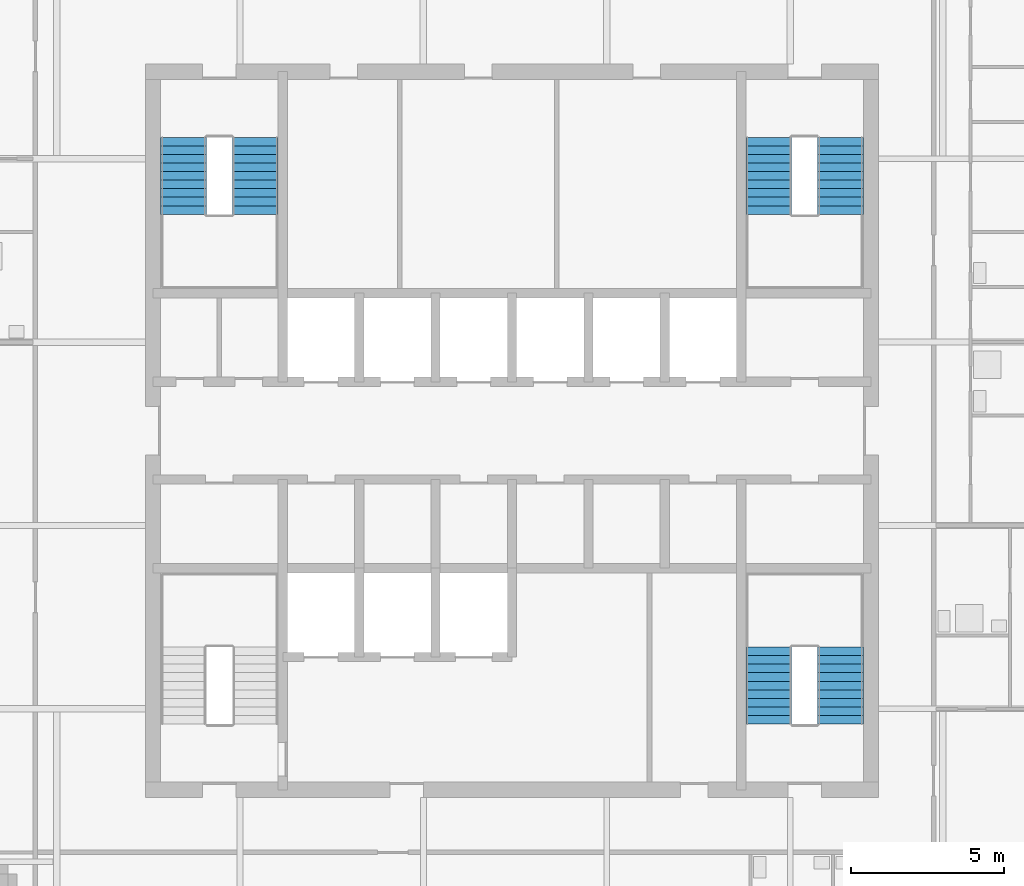
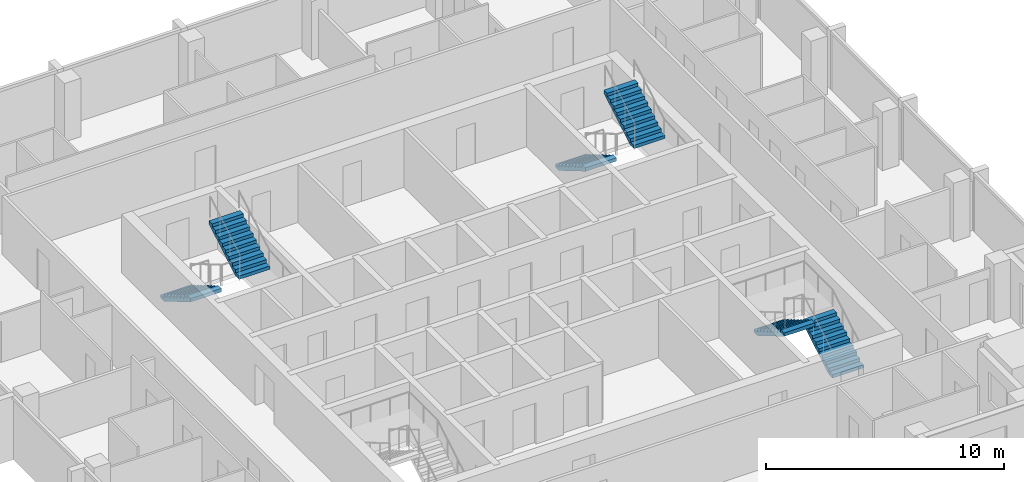
# One storey, part 7 of 9: 6 stair flights, 3 elements without a shape of their own.
"""IFC4 building model written with IfcOpenShell, lengths in metres."""

from ifc_helpers import new_model, si_unit, direction, frame, origin, place, context, subcontext, project, spatial, polyline, outline, extrude, material, type_object, element, aggregate, save


model = new_model("IFC4")

# Units and contexts
model_context = context("Model", 3, precision=1e-05, world=origin(), true_north=direction((0.0, 1.0)))
body_context = subcontext(model_context, "Body", "Model", "MODEL_VIEW")
ifc_project = project(units=[si_unit("LENGTHUNIT", "METRE"), si_unit("AREAUNIT", "SQUARE_METRE"), si_unit("VOLUMEUNIT", "CUBIC_METRE"), si_unit("PLANEANGLEUNIT", "RADIAN"), si_unit("MASSUNIT", "GRAM", prefix="KILO")], contexts=[model_context])

# Site, building, storey
site_placement = place(None, origin())
site = spatial("IfcSite", under=ifc_project, at=site_placement, CompositionType="ELEMENT")
building_placement = place(site_placement, origin())
building = spatial("IfcBuilding", under=site, at=building_placement, Name="Amberfall Residences", CompositionType="ELEMENT")
storey_placement = place(building_placement, frame((0.0, 0.0, 278.5)))
storey = spatial("IfcBuildingStorey", under=building, at=storey_placement, Name="L75", CompositionType="ELEMENT", Elevation=278.5)

# Stair, stair flights
ifc_material = material(Name="Concrete C40", Category="concrete")
stair_type = type_object("IfcStairType", Name="Exit stair 20 risers 165.0 mm", PredefinedType="HALF_TURN_STAIR", material=ifc_material)
stair_1_placement = place(storey_placement, origin())
stair_1 = element("IfcStair", 1, at=stair_1_placement, inside=storey, type_object=stair_type, Name="L75 Exit stair 2", PredefinedType="HALF_TURN_STAIR")
stair_flight_type = type_object("IfcStairFlightType", Name="Stair flight 10 risers 165.0 mm", PredefinedType="STRAIGHT", material=ifc_material)
stair_flight_1_placement = place(storey_placement, frame((85.25, 35.89990234375, 0.0), z_axis=(0.0, 0.0, 1.0), x_axis=(0.0, 1.0, 0.0)))
stair_flight_1 = element("IfcStairFlight", 2, at=stair_flight_1_placement, type_object=stair_flight_type, Name="ST3 flight 1", NumberOfRisers=10, NumberOfTreads=9, PredefinedType="STRAIGHT", RiserHeight=0.165, TreadLength=0.28, context=body_context, shape_type="SweptSolid", body=[
    extrude(outline(polyline([(0.0, 0.0), (0.0, 0.1650390625), (0.280029296875, 0.1650390625), (0.280029296875, 0.330078125), (0.56005859375, 0.330078125), (0.56005859375, 0.4951171875), (0.840087890625, 0.4951171875), (0.840087890625, 0.659912109375), (1.1201171875, 0.659912109375), (1.1201171875, 0.824951171875), (1.39990234375, 0.824951171875), (1.39990234375, 0.989990234375), (1.679931640625, 0.989990234375), (1.679931640625, 1.155029296875), (1.9599609375, 1.155029296875), (1.9599609375, 1.320068359375), (2.239990234375, 1.320068359375), (2.239990234375, 1.485107421875), (2.52001953125, 1.485107421875), (2.52001953125, 1.64990234375), (2.52001953125, 1.31103515625), (0.295166015625, 0.0), (0.0, 0.0)])), frame((0.0, 0.75, 0.0), z_axis=(0.0, -1.0, 0.0), x_axis=(1.0, 0.0, 0.0)), (0.0, 0.0, 1.0), 1.5),
])
stair_flight_2_placement = place(storey_placement, frame((82.89990234375, 38.419921875, 1.64990234375), z_axis=(0.0, 0.0, 1.0), x_axis=(0.0, -1.0, 0.0)))
stair_flight_2 = element("IfcStairFlight", 3, at=stair_flight_2_placement, type_object=stair_flight_type, Name="ST3 flight 2", NumberOfRisers=10, NumberOfTreads=9, PredefinedType="STRAIGHT", RiserHeight=0.165, TreadLength=0.28, context=body_context, shape_type="SweptSolid", body=[
    extrude(outline(polyline([(0.0, 0.0), (0.0, 0.1650390625), (0.280029296875, 0.1650390625), (0.280029296875, 0.330078125), (0.56005859375, 0.330078125), (0.56005859375, 0.4951171875), (0.840087890625, 0.4951171875), (0.840087890625, 0.659912109375), (1.1201171875, 0.659912109375), (1.1201171875, 0.824951171875), (1.39990234375, 0.824951171875), (1.39990234375, 0.989990234375), (1.679931640625, 0.989990234375), (1.679931640625, 1.155029296875), (1.9599609375, 1.155029296875), (1.9599609375, 1.320068359375), (2.239990234375, 1.320068359375), (2.239990234375, 1.485107421875), (2.52001953125, 1.485107421875), (2.52001953125, 1.64990234375), (2.52001953125, 1.31103515625), (0.295166015625, 0.0), (0.0, 0.0)])), frame((0.0, 0.75, 0.0), z_axis=(0.0, -1.0, 0.0), x_axis=(1.0, 0.0, 0.0)), (0.0, 0.0, 1.0), 1.5),
])
aggregate(stair_1, [stair_flight_1, stair_flight_2])

stair_2_placement = place(storey_placement, origin())
stair_2 = element("IfcStair", 4, at=stair_2_placement, inside=storey, type_object=stair_type, Name="L75 Exit stair 3", PredefinedType="HALF_TURN_STAIR")
stair_flight_3_placement = place(storey_placement, frame((82.89990234375, 55.10009765625, 0.0), z_axis=(0.0, 0.0, 1.0), x_axis=(0.0, -1.0, 0.0)))
stair_flight_3 = element("IfcStairFlight", 5, at=stair_flight_3_placement, type_object=stair_flight_type, Name="ST3 flight 1", NumberOfRisers=10, NumberOfTreads=9, PredefinedType="STRAIGHT", RiserHeight=0.165, TreadLength=0.28, context=body_context, shape_type="SweptSolid", body=[
    extrude(outline(polyline([(0.0, 0.0), (0.0, 0.1650390625), (0.280029296875, 0.1650390625), (0.280029296875, 0.330078125), (0.56005859375, 0.330078125), (0.56005859375, 0.4951171875), (0.840087890625, 0.4951171875), (0.840087890625, 0.659912109375), (1.1201171875, 0.659912109375), (1.1201171875, 0.824951171875), (1.39990234375, 0.824951171875), (1.39990234375, 0.989990234375), (1.679931640625, 0.989990234375), (1.679931640625, 1.155029296875), (1.9599609375, 1.155029296875), (1.9599609375, 1.320068359375), (2.239990234375, 1.320068359375), (2.239990234375, 1.485107421875), (2.52001953125, 1.485107421875), (2.52001953125, 1.64990234375), (2.52001953125, 1.31103515625), (0.295166015625, 0.0), (0.0, 0.0)])), frame((0.0, 0.75, 0.0), z_axis=(0.0, -1.0, 0.0), x_axis=(1.0, 0.0, 0.0)), (0.0, 0.0, 1.0), 1.5),
])
stair_flight_4_placement = place(storey_placement, frame((85.25, 52.580078125, 1.64990234375), z_axis=(0.0, 0.0, 1.0), x_axis=(0.0, 1.0, 0.0)))
stair_flight_4 = element("IfcStairFlight", 6, at=stair_flight_4_placement, type_object=stair_flight_type, Name="ST3 flight 2", NumberOfRisers=10, NumberOfTreads=9, PredefinedType="STRAIGHT", RiserHeight=0.165, TreadLength=0.28, context=body_context, shape_type="SweptSolid", body=[
    extrude(outline(polyline([(0.0, 0.0), (0.0, 0.1650390625), (0.280029296875, 0.1650390625), (0.280029296875, 0.330078125), (0.56005859375, 0.330078125), (0.56005859375, 0.4951171875), (0.840087890625, 0.4951171875), (0.840087890625, 0.659912109375), (1.1201171875, 0.659912109375), (1.1201171875, 0.824951171875), (1.39990234375, 0.824951171875), (1.39990234375, 0.989990234375), (1.679931640625, 0.989990234375), (1.679931640625, 1.155029296875), (1.9599609375, 1.155029296875), (1.9599609375, 1.320068359375), (2.239990234375, 1.320068359375), (2.239990234375, 1.485107421875), (2.52001953125, 1.485107421875), (2.52001953125, 1.64990234375), (2.52001953125, 1.31103515625), (0.295166015625, 0.0), (0.0, 0.0)])), frame((0.0, 0.75, 0.0), z_axis=(0.0, -1.0, 0.0), x_axis=(1.0, 0.0, 0.0)), (0.0, 0.0, 1.0), 1.5),
])
aggregate(stair_2, [stair_flight_3, stair_flight_4])

stair_3_placement = place(storey_placement, origin())
stair_3 = element("IfcStair", 7, at=stair_3_placement, inside=storey, type_object=stair_type, Name="L75 Exit stair 4", PredefinedType="HALF_TURN_STAIR")
stair_flight_5_placement = place(storey_placement, frame((63.75, 55.10009765625, 0.0), z_axis=(0.0, 0.0, 1.0), x_axis=(0.0, -1.0, 0.0)))
stair_flight_5 = element("IfcStairFlight", 8, at=stair_flight_5_placement, type_object=stair_flight_type, Name="ST3 flight 1", NumberOfRisers=10, NumberOfTreads=9, PredefinedType="STRAIGHT", RiserHeight=0.165, TreadLength=0.28, context=body_context, shape_type="SweptSolid", body=[
    extrude(outline(polyline([(0.0, 0.0), (0.0, 0.1650390625), (0.280029296875, 0.1650390625), (0.280029296875, 0.330078125), (0.56005859375, 0.330078125), (0.56005859375, 0.4951171875), (0.840087890625, 0.4951171875), (0.840087890625, 0.659912109375), (1.1201171875, 0.659912109375), (1.1201171875, 0.824951171875), (1.39990234375, 0.824951171875), (1.39990234375, 0.989990234375), (1.679931640625, 0.989990234375), (1.679931640625, 1.155029296875), (1.9599609375, 1.155029296875), (1.9599609375, 1.320068359375), (2.239990234375, 1.320068359375), (2.239990234375, 1.485107421875), (2.52001953125, 1.485107421875), (2.52001953125, 1.64990234375), (2.52001953125, 1.31103515625), (0.295166015625, 0.0), (0.0, 0.0)])), frame((0.0, 0.75, 0.0), z_axis=(0.0, -1.0, 0.0), x_axis=(1.0, 0.0, 0.0)), (0.0, 0.0, 1.0), 1.5),
])
stair_flight_6_placement = place(storey_placement, frame((66.10009765625, 52.580078125, 1.64990234375), z_axis=(0.0, 0.0, 1.0), x_axis=(0.0, 1.0, 0.0)))
stair_flight_6 = element("IfcStairFlight", 9, at=stair_flight_6_placement, type_object=stair_flight_type, Name="ST3 flight 2", NumberOfRisers=10, NumberOfTreads=9, PredefinedType="STRAIGHT", RiserHeight=0.165, TreadLength=0.28, context=body_context, shape_type="SweptSolid", body=[
    extrude(outline(polyline([(0.0, 0.0), (0.0, 0.1650390625), (0.280029296875, 0.1650390625), (0.280029296875, 0.330078125), (0.56005859375, 0.330078125), (0.56005859375, 0.4951171875), (0.840087890625, 0.4951171875), (0.840087890625, 0.659912109375), (1.1201171875, 0.659912109375), (1.1201171875, 0.824951171875), (1.39990234375, 0.824951171875), (1.39990234375, 0.989990234375), (1.679931640625, 0.989990234375), (1.679931640625, 1.155029296875), (1.9599609375, 1.155029296875), (1.9599609375, 1.320068359375), (2.239990234375, 1.320068359375), (2.239990234375, 1.485107421875), (2.52001953125, 1.485107421875), (2.52001953125, 1.64990234375), (2.52001953125, 1.31103515625), (0.295166015625, 0.0), (0.0, 0.0)])), frame((0.0, 0.75, 0.0), z_axis=(0.0, -1.0, 0.0), x_axis=(1.0, 0.0, 0.0)), (0.0, 0.0, 1.0), 1.5),
])
aggregate(stair_3, [stair_flight_5, stair_flight_6])

save(model, "model.ifc")
